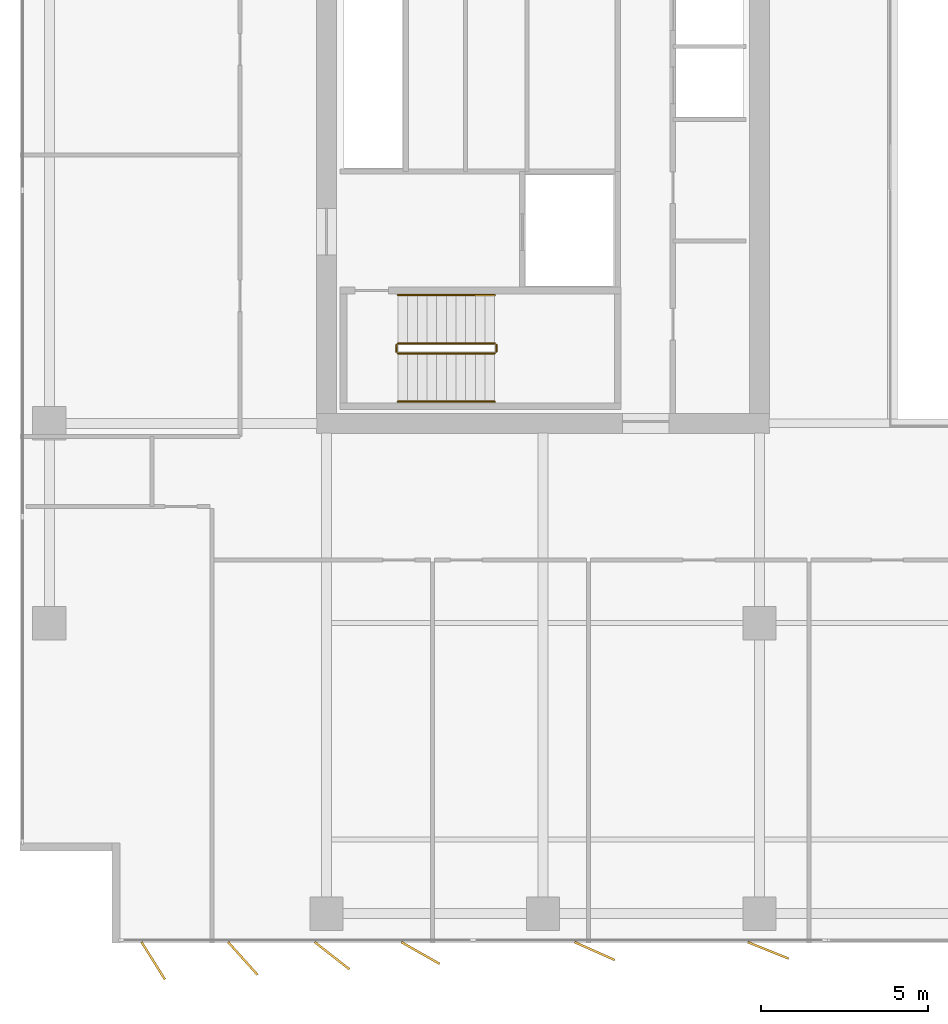
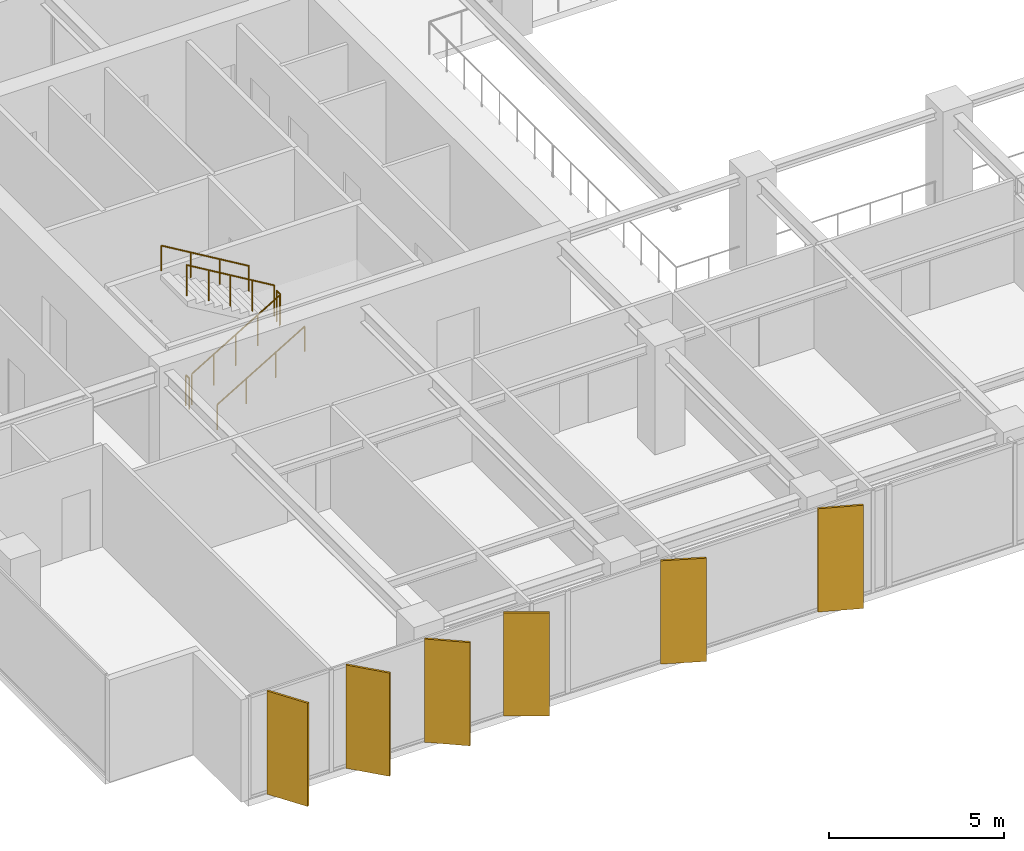
# One storey, part 19 of 22: 6 railings, 6 shading devices.
"""IFC4 building model written with IfcOpenShell, lengths in metres."""

from ifc_helpers import new_model, si_unit, direction, frame, origin, origin_2d, place, context, subcontext, project, spatial, rectangle, circle, extrude, material, layer, layer_set, type_object, element, save


model = new_model("IFC4")

# Units and contexts
model_context = context("Model", 3, precision=1e-05, world=origin(), true_north=direction((0.0, 1.0)))
body_context = subcontext(model_context, "Body", "Model", "MODEL_VIEW")
ifc_project = project(units=[si_unit("LENGTHUNIT", "METRE"), si_unit("AREAUNIT", "SQUARE_METRE"), si_unit("VOLUMEUNIT", "CUBIC_METRE"), si_unit("PLANEANGLEUNIT", "RADIAN"), si_unit("MASSUNIT", "GRAM", prefix="KILO")], contexts=[model_context])

# Site, building, storey
site_placement = place(None, origin())
site = spatial("IfcSite", under=ifc_project, at=site_placement, CompositionType="ELEMENT")
building_placement = place(site_placement, origin())
building = spatial("IfcBuilding", under=site, at=building_placement, Name="Putna Gate Headquarters", CompositionType="ELEMENT")
storey_placement = place(building_placement, frame((0.0, 0.0, 174.60009765625)))
storey = spatial("IfcBuildingStorey", under=building, at=storey_placement, Name="L43", CompositionType="ELEMENT", Elevation=174.60009765625)

# Railings
ifc_material_1 = material(Name="Powder-coated steel stair guardrail", Category="steel")
railing_type_1 = type_object("IfcRailingType", Name="RAIL-STAIR-GUARD-1100", PredefinedType="GUARDRAIL", material=ifc_material_1)
railing_1_placement = place(storey_placement, frame((15.14990234375, 21.10009765625, 0.172607421875)))
element("IfcRailing", 1, at=railing_1_placement, inside=storey, type_object=railing_type_1, Name="L43 ST1 stair guard 1", PredefinedType="GUARDRAIL", context=body_context, shape_type="SweptSolid", body=[
    extrude(circle(Radius=0.02392578125, at=origin_2d()), frame((0.0, 0.0, 1.076171875), z_axis=(0.859160404282, 0.0, 0.51170636083), x_axis=(0.0, 1.0, 0.0)), (0.0, 0.0, 1.0), 3.37548828125),
    extrude(circle(Radius=0.02099609375, at=origin_2d()), origin(), (0.0, 0.0, 1.0), 1.052001953125),
    extrude(circle(Radius=0.02099609375, at=origin_2d()), frame((0.72509765625, 0.0, 0.431884765625)), (0.0, 0.0, 1.0), 1.052001953125),
    extrude(circle(Radius=0.02099609375, at=origin_2d()), frame((1.4501953125, 0.0, 0.86376953125)), (0.0, 0.0, 1.0), 1.052001953125),
    extrude(circle(Radius=0.02099609375, at=origin_2d()), frame((2.175048828125, 0.0, 1.29541015625)), (0.0, 0.0, 1.0), 1.052001953125),
    extrude(circle(Radius=0.02099609375, at=origin_2d()), frame((2.900146484375, 0.0, 1.727294921875)), (0.0, 0.0, 1.0), 1.052001953125),
])
railing_2_placement = place(storey_placement, frame((18.10009765625, 21.14990234375, 1.89990234375)))
element("IfcRailing", 2, at=railing_2_placement, inside=storey, type_object=railing_type_1, Name="L43 ST1 stair guard 2", PredefinedType="GUARDRAIL", context=body_context, shape_type="SweptSolid", body=[
    extrude(circle(Radius=0.02392578125, at=origin_2d()), frame((0.0, 0.0, 1.076171875), z_axis=(0.0, 1.0, 0.0), x_axis=(-1.0, 0.0, 0.0)), (0.0, 0.0, 1.0), 0.2001953125),
    extrude(circle(Radius=0.02099609375, at=origin_2d()), origin(), (0.0, 0.0, 1.0), 1.052001953125),
    extrude(circle(Radius=0.02099609375, at=origin_2d()), frame((0.0, 0.2001953125, 0.0)), (0.0, 0.0, 1.0), 1.052001953125),
])
railing_3_placement = place(storey_placement, frame((18.050048828125, 21.39990234375, 2.072509765625)))
element("IfcRailing", 3, at=railing_3_placement, inside=storey, type_object=railing_type_1, Name="L43 ST1 stair guard 3", PredefinedType="GUARDRAIL", context=body_context, shape_type="SweptSolid", body=[
    extrude(circle(Radius=0.02392578125, at=origin_2d()), frame((0.0, 0.0, 1.076171875), z_axis=(-0.859160404282, 0.0, 0.51170636083), x_axis=(0.0, -1.0, 0.0)), (0.0, 0.0, 1.0), 3.37548828125),
    extrude(circle(Radius=0.02099609375, at=origin_2d()), origin(), (0.0, 0.0, 1.0), 1.052001953125),
    extrude(circle(Radius=0.02099609375, at=origin_2d()), frame((-0.72509765625, 0.0, 0.431884765625)), (0.0, 0.0, 1.0), 1.052001953125),
    extrude(circle(Radius=0.02099609375, at=origin_2d()), frame((-1.4501953125, 0.0, 0.86376953125)), (0.0, 0.0, 1.0), 1.052001953125),
    extrude(circle(Radius=0.02099609375, at=origin_2d()), frame((-2.175048828125, 0.0, 1.29541015625)), (0.0, 0.0, 1.0), 1.052001953125),
    extrude(circle(Radius=0.02099609375, at=origin_2d()), frame((-2.900146484375, 0.0, 1.727294921875)), (0.0, 0.0, 1.0), 1.052001953125),
])
railing_4_placement = place(storey_placement, frame((15.10009765625, 21.14990234375, 0.0)))
element("IfcRailing", 4, at=railing_4_placement, inside=storey, type_object=railing_type_1, Name="L43 ST1 stair guard 4", PredefinedType="GUARDRAIL", context=body_context, shape_type="SweptSolid", body=[
    extrude(circle(Radius=0.02392578125, at=origin_2d()), frame((0.0, 0.0, 1.076171875), z_axis=(0.0, 1.0, 0.0), x_axis=(-1.0, 0.0, 0.0)), (0.0, 0.0, 1.0), 0.2001953125),
    extrude(circle(Radius=0.02099609375, at=origin_2d()), origin(), (0.0, 0.0, 1.0), 1.052001953125),
    extrude(circle(Radius=0.02099609375, at=origin_2d()), frame((0.0, 0.2001953125, 0.0)), (0.0, 0.0, 1.0), 1.052001953125),
])
ifc_material_2 = material(Name="Brushed stainless steel handrail", Category="steel")
railing_type_2 = type_object("IfcRailingType", Name="RAIL-STAIR-HAND-900", PredefinedType="HANDRAIL", material=ifc_material_2)
railing_5_placement = place(storey_placement, frame((15.14990234375, 19.64990234375, 0.172607421875)))
element("IfcRailing", 5, at=railing_5_placement, inside=storey, type_object=railing_type_2, Name="L43 ST1 stair handrail 1", PredefinedType="HANDRAIL", context=body_context, shape_type="SweptSolid", body=[
    extrude(circle(Radius=0.02392578125, at=origin_2d()), frame((0.0, 0.0, 0.8759765625), z_axis=(0.859160404282, 0.0, 0.51170636083), x_axis=(0.0, 1.0, 0.0)), (0.0, 0.0, 1.0), 3.37548828125),
    extrude(circle(Radius=0.02099609375, at=origin_2d()), origin(), (0.0, 0.0, 1.0), 0.851806640625),
    extrude(circle(Radius=0.02099609375, at=origin_2d()), frame((0.966796875, 0.0, 0.57568359375)), (0.0, 0.0, 1.0), 0.851806640625),
    extrude(circle(Radius=0.02099609375, at=origin_2d()), frame((1.933349609375, 0.0, 1.151611328125)), (0.0, 0.0, 1.0), 0.851806640625),
    extrude(circle(Radius=0.02099609375, at=origin_2d()), frame((2.900146484375, 0.0, 1.727294921875)), (0.0, 0.0, 1.0), 0.851806640625),
])
railing_6_placement = place(storey_placement, frame((18.050048828125, 22.85009765625, 2.072509765625)))
element("IfcRailing", 6, at=railing_6_placement, inside=storey, type_object=railing_type_2, Name="L43 ST1 stair handrail 2", PredefinedType="HANDRAIL", context=body_context, shape_type="SweptSolid", body=[
    extrude(circle(Radius=0.02392578125, at=origin_2d()), frame((0.0, 0.0, 0.8759765625), z_axis=(-0.859160404282, 0.0, 0.51170636083), x_axis=(0.0, -1.0, 0.0)), (0.0, 0.0, 1.0), 3.37548828125),
    extrude(circle(Radius=0.02099609375, at=origin_2d()), origin(), (0.0, 0.0, 1.0), 0.851806640625),
    extrude(circle(Radius=0.02099609375, at=origin_2d()), frame((-0.966796875, 0.0, 0.57568359375)), (0.0, 0.0, 1.0), 0.851806640625),
    extrude(circle(Radius=0.02099609375, at=origin_2d()), frame((-1.933349609375, 0.0, 1.151611328125)), (0.0, 0.0, 1.0), 0.851806640625),
    extrude(circle(Radius=0.02099609375, at=origin_2d()), frame((-2.900146484375, 0.0, 1.727294921875)), (0.0, 0.0, 1.0), 0.851806640625),
])

# Shading devices
ifc_material_3 = material(Name="Anodised architectural bronze aluminium fin", Category="aluminium")
ifc_layer = layer(ifc_material_3, 0.06494140625)
ifc_layer_set = layer_set([ifc_layer], Name="Anodised architectural bronze aluminium fin")
shading_device_type = type_object("IfcShadingDeviceType", Name="SHADE-BRONZE-FIN-1320", PredefinedType="USERDEFINED", material=ifc_layer_set)
for number, where, z_axis, x_axis, name in (
    (7, (7.80029296875, 2.865478515625, -0.02001953125), (0.0, 0.0, 1.0), (0.530659123936, -0.847585331506, 0.0), "L43 Bronze Vertical Shading Fin S1"),
    (8, (10.49169921875, 2.9345703125, -0.02001953125), (0.0, 0.0, 1.0), (0.669130606359, -0.743144825477, 0.0), "L43 Bronze Vertical Shading Fin S2"),
    (9, (13.169677734375, 3.018310546875, -0.02001953125), (0.0, 0.0, 1.0), (0.787473187632, -0.616348909921, 0.0), "L43 Bronze Vertical Shading Fin S3"),
    (10, (15.82373046875, 3.098876953125, -0.02001953125), (0.0, 0.0, 1.0), (0.869322458298, -0.494245347472, 0.0), "L43 Bronze Vertical Shading Fin S4"),
    (11, (21.052978515625, 3.15673828125, -0.02001953125), (0.0, 0.0, 1.0), (0.913687379856, -0.40641773078, 0.0), "L43 Bronze Vertical Shading Fin S5"),
    (12, (26.261962890625, 3.177734375, -0.02001953125), (0.0, 0.0, 1.0), (0.927183854567, -0.374606593416, 0.0), "L43 Bronze Vertical Shading Fin S6"),
):
    element("IfcShadingDevice", number, at=place(storey_placement, frame(where, z_axis=z_axis, x_axis=x_axis)), inside=storey, type_object=shading_device_type, Name=name, ObjectType="FIN", PredefinedType="USERDEFINED", context=body_context, shape_type="SweptSolid", body=[
        extrude(rectangle(XDim=1.320068359375, YDim=0.06494140625, at=origin_2d()), origin(), (0.0, 0.0, 1.0), 3.612060546875),
    ])

save(model, "model.ifc")
